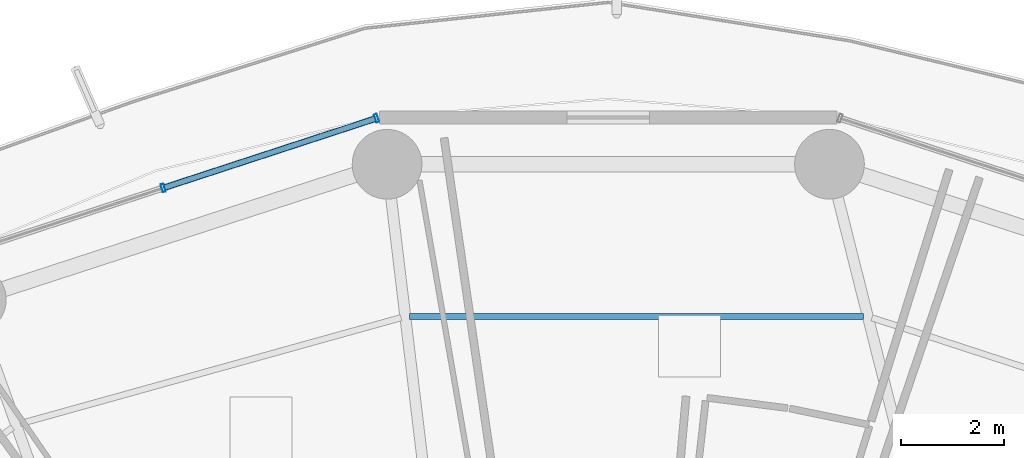
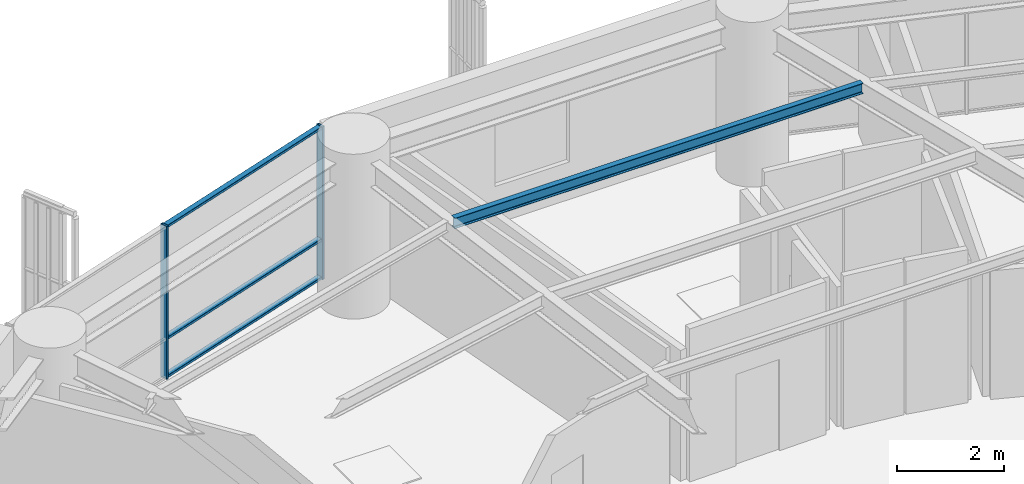
# One storey, part 21 of 35: 5 members, 1 beam, 1 element without a shape of its own.
"""IFC4 building model written with IfcOpenShell, lengths in metres."""

from ifc_helpers import new_model, si_unit, direction, frame, origin, origin_2d, place, context, subcontext, project, spatial, hollow_rectangle, i_section, extrude, material, layer, layer_set, material_profile, profile_set, type_object, element, aggregate, save


model = new_model("IFC4")

# Units and contexts
model_context = context("Model", 3, precision=1e-05, world=origin(), true_north=direction((0.0, 1.0)))
body_context = subcontext(model_context, "Body", "Model", "MODEL_VIEW")
ifc_project = project(units=[si_unit("LENGTHUNIT", "METRE"), si_unit("AREAUNIT", "SQUARE_METRE"), si_unit("VOLUMEUNIT", "CUBIC_METRE"), si_unit("PLANEANGLEUNIT", "RADIAN"), si_unit("MASSUNIT", "GRAM", prefix="KILO")], contexts=[model_context])

# Site, building, storey
site_placement = place(None, origin())
site = spatial("IfcSite", under=ifc_project, at=site_placement, CompositionType="ELEMENT")
building_placement = place(site_placement, origin())
building = spatial("IfcBuilding", under=site, at=building_placement, Name="Kelanora Arch Commons", CompositionType="ELEMENT")
storey_placement = place(building_placement, frame((0.0, 0.0, 95.10009765625)))
storey = spatial("IfcBuildingStorey", under=building, at=storey_placement, Name="L24", CompositionType="ELEMENT", Elevation=95.10009765625)

# Beam
ifc_material_1 = material(Name="Steel S355", Category="steel")
ifc_material_profile_1 = material_profile(ifc_material_1, i_section(OverallWidth=0.1201171875, OverallDepth=0.239990234375, WebThickness=0.006103515625, FlangeThickness=0.009765625, FilletRadius=0.014892578125, at=origin_2d()), Name="IPE240")
ifc_profile_set_1 = profile_set([ifc_material_profile_1], Name="Steel S355")
beam_type = type_object("IfcBeamType", Name="BM-JST-02", PredefinedType="JOIST", material=ifc_profile_set_1)
beam_placement = place(storey_placement, frame((78.943603515625, 76.795654296875, 3.369873046875), z_axis=(-1.0, 0.0, 0.0), x_axis=(0.0, -1.0, 0.0)))
element("IfcBeam", 1, at=beam_placement, inside=storey, type_object=beam_type, Name="Secondary Chord Joist BJC-08 L24", PredefinedType="JOIST", context=body_context, shape_type="SweptSolid", body=[
    extrude(i_section(OverallWidth=0.1201171875, OverallDepth=0.239990234375, WebThickness=0.006103515625, FlangeThickness=0.009765625, FilletRadius=0.014892578125, at=origin_2d()), origin(), (0.0, 0.0, 1.0), 8.791015625),
])

# Curtain wall, members
ifc_material_2 = material(Name="Terracotta ceramic-fritted low-E glass and aluminium", Category="masonry")
ifc_layer = layer(ifc_material_2, 0.159912109375)
ifc_layer_set = layer_set([ifc_layer], Name="Terracotta ceramic-fritted low-E glass and aluminium")
curtain_wall_type = type_object("IfcCurtainWallType", Name="CW-SYS-01", PredefinedType="NOTDEFINED", material=ifc_layer_set)
curtain_wall_placement = place(storey_placement, origin())
curtain_wall = element("IfcCurtainWall", 2, at=curtain_wall_placement, inside=storey, type_object=curtain_wall_type, Name="Unitised Curtain Wall L24-B05", PredefinedType="NOTDEFINED")
ifc_material_3 = material(Name="Powder-coated aluminium terracotta", Category="masonry")
ifc_material_profile_2 = material_profile(ifc_material_3, hollow_rectangle(XDim=0.159912109375, YDim=0.06005859375, WallThickness=0.0048828125, InnerFilletRadius=0.0048828125, OuterFilletRadius=0.010009765625, at=origin_2d()), Name="CWM160x60")
ifc_profile_set_2 = profile_set([ifc_material_profile_2], Name="Powder-coated aluminium terracotta")
member_type_1 = type_object("IfcMemberType", Name="CWM-STD", PredefinedType="MULLION", material=ifc_profile_set_2)
member_1_placement = place(storey_placement, frame((69.51171875, 80.636474609375, 0.0), z_axis=(0.0, 0.0, 1.0), x_axis=(0.31080470294, -0.950473795867, 0.0)))
member_1 = element("IfcMember", 3, at=member_1_placement, type_object=member_type_1, Name="CW-01 mullion 1", PredefinedType="MULLION", context=body_context, shape_type="SweptSolid", body=[
    extrude(hollow_rectangle(XDim=0.159912109375, YDim=0.06005859375, WallThickness=0.0048828125, InnerFilletRadius=0.0048828125, OuterFilletRadius=0.010009765625, at=origin_2d()), origin(), (0.0, 0.0, 1.0), 3.474853515625),
])
member_2_placement = place(storey_placement, frame((65.377197265625, 79.28466796875, 0.0), z_axis=(0.0, 0.0, 1.0), x_axis=(0.31080470294, -0.950473795867, 0.0)))
member_2 = element("IfcMember", 4, at=member_2_placement, type_object=member_type_1, Name="CW-01 mullion 2", PredefinedType="MULLION", context=body_context, shape_type="SweptSolid", body=[
    extrude(hollow_rectangle(XDim=0.159912109375, YDim=0.06005859375, WallThickness=0.0048828125, InnerFilletRadius=0.0048828125, OuterFilletRadius=0.010009765625, at=origin_2d()), origin(), (0.0, 0.0, 1.0), 3.474853515625),
])
ifc_material_profile_3 = material_profile(ifc_material_3, hollow_rectangle(XDim=0.1201171875, YDim=0.06005859375, WallThickness=0.0048828125, InnerFilletRadius=0.0048828125, OuterFilletRadius=0.010009765625, at=origin_2d()), Name="CWT120x60")
ifc_profile_set_3 = profile_set([ifc_material_profile_3], Name="Powder-coated aluminium terracotta")
member_type_2 = type_object("IfcMemberType", Name="CWT-STD", PredefinedType="USERDEFINED", material=ifc_profile_set_3)
member_3_placement = place(storey_placement, frame((69.483154296875, 80.627197265625, 0.02978515625), z_axis=(-0.950477544745, -0.31079323824, 0.0), x_axis=(0.31079323824, -0.950477544745, 0.0)))
member_3 = element("IfcMember", 5, at=member_3_placement, type_object=member_type_2, Name="CW-01 transom 1.1", ObjectType="TRANSOM", PredefinedType="USERDEFINED", context=body_context, shape_type="SweptSolid", body=[
    extrude(hollow_rectangle(XDim=0.1201171875, YDim=0.06005859375, WallThickness=0.0048828125, InnerFilletRadius=0.0048828125, OuterFilletRadius=0.010009765625, at=origin_2d()), origin(), (0.0, 0.0, 1.0), 4.289794921875),
])
member_4_placement = place(storey_placement, frame((69.483154296875, 80.627197265625, 0.89990234375), z_axis=(-0.950477544745, -0.31079323824, 0.0), x_axis=(0.31079323824, -0.950477544745, 0.0)))
member_4 = element("IfcMember", 6, at=member_4_placement, type_object=member_type_2, Name="CW-01 transom 1.2", ObjectType="TRANSOM", PredefinedType="USERDEFINED", context=body_context, shape_type="SweptSolid", body=[
    extrude(hollow_rectangle(XDim=0.1201171875, YDim=0.06005859375, WallThickness=0.0048828125, InnerFilletRadius=0.0048828125, OuterFilletRadius=0.010009765625, at=origin_2d()), origin(), (0.0, 0.0, 1.0), 4.289794921875),
])
member_5_placement = place(storey_placement, frame((69.483154296875, 80.627197265625, 3.44482421875), z_axis=(-0.950477544745, -0.31079323824, 0.0), x_axis=(0.31079323824, -0.950477544745, 0.0)))
member_5 = element("IfcMember", 7, at=member_5_placement, type_object=member_type_2, Name="CW-01 transom 1.3", ObjectType="TRANSOM", PredefinedType="USERDEFINED", context=body_context, shape_type="SweptSolid", body=[
    extrude(hollow_rectangle(XDim=0.1201171875, YDim=0.06005859375, WallThickness=0.0048828125, InnerFilletRadius=0.0048828125, OuterFilletRadius=0.010009765625, at=origin_2d()), origin(), (0.0, 0.0, 1.0), 4.289794921875),
])
aggregate(curtain_wall, [member_1, member_2, member_3, member_4, member_5])

save(model, "model.ifc")
